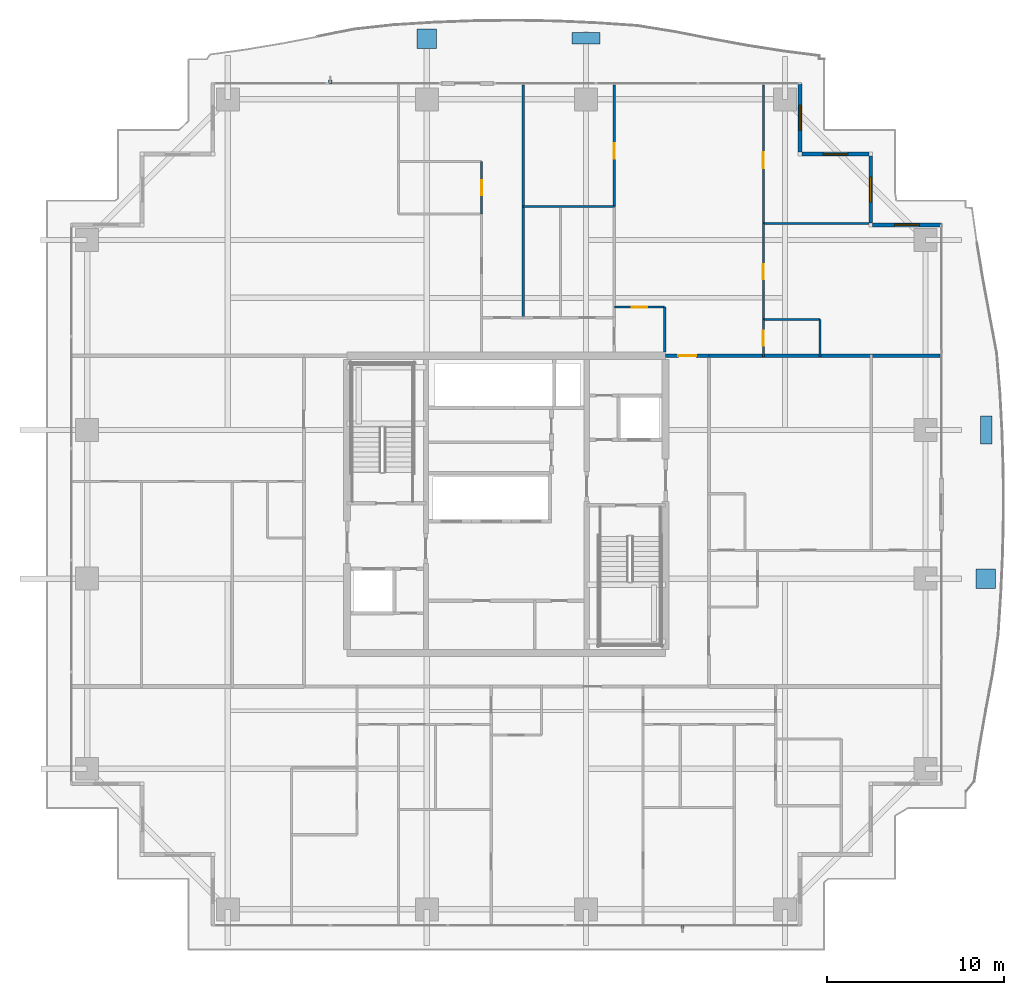
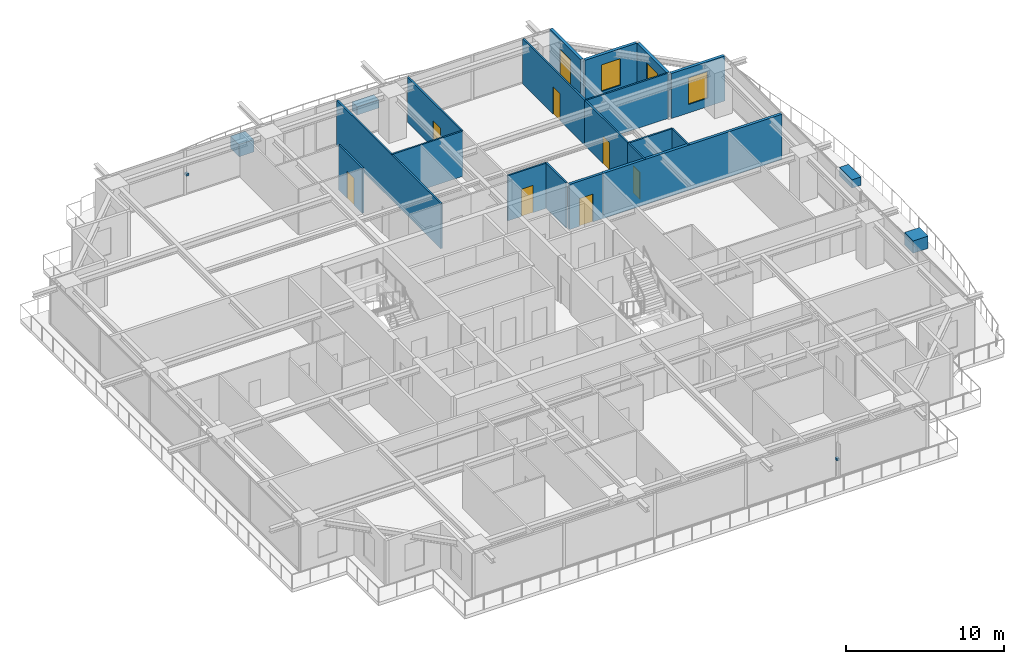
# One storey, part 28 of 34: 18 walls, 7 doors, 6 discrete accessories, 4 windows, 11 openings.
"""IFC4 building model written with IfcOpenShell, lengths in metres."""

from ifc_helpers import new_model, si_unit, direction, frame, frame_2d, origin, origin_2d, place, context, subcontext, project, spatial, rectangle, extrude, source, transform, mapped, material, layer, layer_set, type_object, element, fill, save


model = new_model("IFC4")

# Units and contexts
model_context = context("Model", 3, precision=1e-05, world=origin(), true_north=direction((0.0, 1.0)))
body_context = subcontext(model_context, "Body", "Model", "MODEL_VIEW")
ifc_project = project(units=[si_unit("LENGTHUNIT", "METRE"), si_unit("AREAUNIT", "SQUARE_METRE"), si_unit("VOLUMEUNIT", "CUBIC_METRE"), si_unit("PLANEANGLEUNIT", "RADIAN"), si_unit("MASSUNIT", "GRAM", prefix="KILO")], contexts=[model_context])

# Site, building, storey
site_placement = place(None, origin())
site = spatial("IfcSite", under=ifc_project, at=site_placement, CompositionType="ELEMENT")
building_placement = place(site_placement, origin())
building = spatial("IfcBuilding", under=site, at=building_placement, Name="Serunith Strait Residences", CompositionType="ELEMENT")
storey_placement = place(building_placement, frame((0.0, 0.0, 135.14990234375)))
storey = spatial("IfcBuildingStorey", under=building, at=storey_placement, Name="L33", CompositionType="ELEMENT", Elevation=135.14990234375)

# Wall, opening, window
ifc_material_1 = material(Name="Pale-Champagne Aluminium Insulated Panel", Category="aluminium")
ifc_layer_1 = layer(ifc_material_1, 0.219970703125, Name="Pale-Champagne Aluminium Insulated Panel")
ifc_layer_set_1 = layer_set([ifc_layer_1], Name="Pale-Champagne Aluminium Insulated Panel")
wall_type_1 = type_object("IfcWallType", Name="EW-ALUM-220", PredefinedType="ELEMENTEDWALL", material=ifc_layer_set_1)
wall_1_placement = place(storey_placement, frame((57.0, 41.0, 0.0), z_axis=(0.0, 0.0, 1.0), x_axis=(-1.0, 0.0, 0.0)))
wall_1 = element("IfcWall", 1, at=wall_1_placement, inside=storey, type_object=wall_type_1, Name="L33 Girih Serrated Corner Wall 07", PredefinedType="ELEMENTEDWALL", context=body_context, shape_type="SweptSolid", body=[
    extrude(rectangle(XDim=3.889892578125, YDim=0.219970703125, at=frame_2d((1.94482421875, 0.0))), origin(), (0.0, 0.0, 1.0), 3.47509765625),
])
opening_1_placement = place(wall_1_placement, frame((1.2451171875, 0.0, 0.64990234375)))
opening_1 = element("IfcOpeningElement", 2, at=opening_1_placement, cuts=wall_1, Name="Opening W-03", PredefinedType="OPENING", context=body_context, shape_type="SweptSolid", body=[
    extrude(rectangle(XDim=1.39990234375, YDim=2.050048828125, at=frame_2d((0.699951171875, 1.02490234375))), frame((0.0, 0.1201171875, 0.0), z_axis=(0.0, -1.0, 0.0), x_axis=(1.0, 0.0, 0.0)), (0.0, 0.0, 1.0), 0.239990234375),
])
ifc_material_2 = material(Name="Ceramic-Fritted Operable Aluminium Window Glass", Category="aluminium")
window_type = type_object("IfcWindowType", Name="WIN-C3", PartitioningType="SINGLE_PANEL", PredefinedType="WINDOW", material=ifc_material_2)
shared_shape_1 = source(origin(), body_context, "Body", "SweptSolid", [
    extrude(rectangle(XDim=1.39990234375, YDim=2.050048828125, at=frame_2d((0.699951171875, 1.02490234375))), frame((0.0, 0.030029296875, 0.0), z_axis=(0.0, -1.0, 0.0), x_axis=(1.0, 0.0, 0.0)), (0.0, 0.0, 1.0), 0.06005859375),
])
window_1_placement = place(opening_1_placement, origin())
window_1 = element("IfcWindow", 3, at=window_1_placement, inside=storey, type_object=window_type, Name="L33 Corner Operable Fritted Window 07", OverallHeight=2.050048828125, OverallWidth=1.39990234375, PartitioningType="SINGLE_PANEL", PredefinedType="WINDOW", context=body_context, shape_type="MappedRepresentation", body=[
    mapped(shared_shape_1, transform((0.0, 0.0, 0.0), scale=1.0)),
])
fill(opening_1, window_1)

wall_2_placement = place(storey_placement, frame((53.0, 41.110107421875, 0.0), z_axis=(0.0, 0.0, 1.0), x_axis=(0.0, 1.0, 0.0)))
wall_2 = element("IfcWall", 4, at=wall_2_placement, inside=storey, type_object=wall_type_1, Name="L33 Girih Serrated Corner Wall 08", PredefinedType="ELEMENTEDWALL", context=body_context, shape_type="SweptSolid", body=[
    extrude(rectangle(XDim=3.77978515625, YDim=0.219970703125, at=frame_2d((1.889892578125, 0.0))), origin(), (0.0, 0.0, 1.0), 3.47509765625),
])
opening_2_placement = place(wall_2_placement, frame((1.18994140625, 0.0, 0.64990234375)))
opening_2 = element("IfcOpeningElement", 5, at=opening_2_placement, cuts=wall_2, Name="Opening W-03", PredefinedType="OPENING", context=body_context, shape_type="SweptSolid", body=[
    extrude(rectangle(XDim=1.39990234375, YDim=2.050048828125, at=frame_2d((0.699951171875, 1.02490234375))), frame((0.0, 0.1201171875, 0.0), z_axis=(0.0, -1.0, 0.0), x_axis=(1.0, 0.0, 0.0)), (0.0, 0.0, 1.0), 0.239990234375),
])
window_2_placement = place(opening_2_placement, origin())
window_2 = element("IfcWindow", 6, at=window_2_placement, inside=storey, type_object=window_type, Name="L33 Corner Operable Fritted Window 08", OverallHeight=2.050048828125, OverallWidth=1.39990234375, PartitioningType="SINGLE_PANEL", PredefinedType="WINDOW", context=body_context, shape_type="MappedRepresentation", body=[
    mapped(shared_shape_1, transform((0.0, 0.0, 0.0), scale=1.0)),
])
fill(opening_2, window_2)

wall_3_placement = place(storey_placement, frame((52.889892578125, 45.0, 0.0), z_axis=(0.0, 0.0, 1.0), x_axis=(-1.0, 0.0, 0.0)))
wall_3 = element("IfcWall", 7, at=wall_3_placement, inside=storey, type_object=wall_type_1, Name="L33 Girih Serrated Corner Wall 09", PredefinedType="ELEMENTEDWALL", context=body_context, shape_type="SweptSolid", body=[
    extrude(rectangle(XDim=3.77978515625, YDim=0.219970703125, at=frame_2d((1.889892578125, 0.0))), origin(), (0.0, 0.0, 1.0), 3.47509765625),
])
opening_3_placement = place(wall_3_placement, frame((1.18994140625, 0.0, 0.64990234375)))
opening_3 = element("IfcOpeningElement", 8, at=opening_3_placement, cuts=wall_3, Name="Opening W-03", PredefinedType="OPENING", context=body_context, shape_type="SweptSolid", body=[
    extrude(rectangle(XDim=1.39990234375, YDim=2.050048828125, at=frame_2d((0.699951171875, 1.02490234375))), frame((0.0, 0.1201171875, 0.0), z_axis=(0.0, -1.0, 0.0), x_axis=(1.0, 0.0, 0.0)), (0.0, 0.0, 1.0), 0.239990234375),
])
window_3_placement = place(opening_3_placement, origin())
window_3 = element("IfcWindow", 9, at=window_3_placement, inside=storey, type_object=window_type, Name="L33 Corner Operable Fritted Window 09", OverallHeight=2.050048828125, OverallWidth=1.39990234375, PartitioningType="SINGLE_PANEL", PredefinedType="WINDOW", context=body_context, shape_type="MappedRepresentation", body=[
    mapped(shared_shape_1, transform((0.0, 0.0, 0.0), scale=1.0)),
])
fill(opening_3, window_3)

wall_4_placement = place(storey_placement, frame((49.0, 45.110107421875, 0.0), z_axis=(0.0, 0.0, 1.0), x_axis=(0.0, 1.0, 0.0)))
wall_4 = element("IfcWall", 10, at=wall_4_placement, inside=storey, type_object=wall_type_1, Name="L33 Girih Serrated Corner Wall 10", PredefinedType="ELEMENTEDWALL", context=body_context, shape_type="SweptSolid", body=[
    extrude(rectangle(XDim=3.889892578125, YDim=0.219970703125, at=frame_2d((1.94482421875, 0.0))), origin(), (0.0, 0.0, 1.0), 3.47509765625),
])
opening_4_placement = place(wall_4_placement, frame((1.2451171875, 0.0, 0.64990234375)))
opening_4 = element("IfcOpeningElement", 11, at=opening_4_placement, cuts=wall_4, Name="Opening W-03", PredefinedType="OPENING", context=body_context, shape_type="SweptSolid", body=[
    extrude(rectangle(XDim=1.39990234375, YDim=2.050048828125, at=frame_2d((0.699951171875, 1.02490234375))), frame((0.0, 0.1201171875, 0.0), z_axis=(0.0, -1.0, 0.0), x_axis=(1.0, 0.0, 0.0)), (0.0, 0.0, 1.0), 0.239990234375),
])
window_4_placement = place(opening_4_placement, origin())
window_4 = element("IfcWindow", 12, at=window_4_placement, inside=storey, type_object=window_type, Name="L33 Corner Operable Fritted Window 10", OverallHeight=2.050048828125, OverallWidth=1.39990234375, PartitioningType="SINGLE_PANEL", PredefinedType="WINDOW", context=body_context, shape_type="MappedRepresentation", body=[
    mapped(shared_shape_1, transform((0.0, 0.0, 0.0), scale=1.0)),
])
fill(opening_4, window_4)

# Wall, opening, door
ifc_material_3 = material(Name="Fire-rated acoustic gypsum partition")
ifc_layer_2 = layer(ifc_material_3, 0.179931640625, Name="Fire-rated acoustic gypsum partition")
ifc_layer_set_2 = layer_set([ifc_layer_2], Name="Fire-rated acoustic gypsum partition")
wall_type_2 = type_object("IfcWallType", Name="IW-CORR-180", PredefinedType="PARTITIONING", material=ifc_layer_set_2)
wall_5_placement = place(storey_placement, frame((41.402099609375, 33.60009765625, 0.0), z_axis=(0.0, 0.0, 1.0), x_axis=(1.0, 0.0, 0.0)))
wall_5 = element("IfcWall", 13, at=wall_5_placement, inside=storey, type_object=wall_type_2, Name="L33 Partition Wall 028", PredefinedType="PARTITIONING", context=body_context, shape_type="SweptSolid", body=[
    extrude(rectangle(XDim=2.44580078125, YDim=0.179931640625, at=frame_2d((1.222900390625, 0.0))), origin(), (0.0, 0.0, 1.0), 3.489990234375),
])
opening_5_placement = place(wall_5_placement, frame((0.722900390625, 0.0, 0.0)))
opening_5 = element("IfcOpeningElement", 14, at=opening_5_placement, cuts=wall_5, Name="Opening D-APT1000", PredefinedType="OPENING", context=body_context, shape_type="SweptSolid", body=[
    extrude(rectangle(XDim=1.0, YDim=2.14990234375, at=frame_2d((0.5, 1.074951171875))), frame((0.0, 0.10009765625, 0.0), z_axis=(0.0, -1.0, 0.0), x_axis=(1.0, 0.0, 0.0)), (0.0, 0.0, 1.0), 0.199951171875),
])
ifc_material_4 = material(Name="Solid timber engineered fire door", Category="wood")
door_type_1 = type_object("IfcDoorType", Name="ID-APT-1000", OperationType="NOTDEFINED", PredefinedType="DOOR", material=ifc_material_4)
shared_shape_2 = source(origin(), body_context, "Body", "SweptSolid", [
    extrude(rectangle(XDim=1.0, YDim=2.14990234375, at=frame_2d((0.5, 1.074951171875))), frame((0.0, 0.02490234375, 0.0), z_axis=(0.0, -1.0, 0.0), x_axis=(1.0, 0.0, 0.0)), (0.0, 0.0, 1.0), 0.050048828125),
])
door_1_placement = place(opening_5_placement, origin())
door_1 = element("IfcDoor", 15, at=door_1_placement, inside=storey, type_object=door_type_1, Name="L33 Unit 02 Entrance Door", OperationType="SINGLE_SWING_RIGHT", OverallHeight=2.14990234375, OverallWidth=1.0, PredefinedType="DOOR", context=body_context, shape_type="MappedRepresentation", body=[
    mapped(shared_shape_2, transform((0.0, 0.0, 0.0), scale=1.0)),
])
fill(opening_5, door_1)

ifc_material_5 = material(Name="Lightweight steel-stud gypsum partition", Category="steel")
ifc_layer_3 = layer(ifc_material_5, 0.1201171875, Name="Lightweight steel-stud gypsum partition")
ifc_layer_set_3 = layer_set([ifc_layer_3], Name="Lightweight steel-stud gypsum partition")
wall_type_3 = type_object("IfcWallType", Name="IW-PART-120", PredefinedType="PARTITIONING", material=ifc_layer_set_3)
wall_6_placement = place(storey_placement, frame((38.5, 36.35009765625, 0.0), z_axis=(0.0, 0.0, 1.0), x_axis=(1.0, 0.0, 0.0)))
wall_6 = element("IfcWall", 16, at=wall_6_placement, inside=storey, type_object=wall_type_3, Name="L33 Partition Wall 061", PredefinedType="PARTITIONING", context=body_context, shape_type="SweptSolid", body=[
    extrude(rectangle(XDim=2.85009765625, YDim=0.1201171875, at=frame_2d((1.425048828125, 0.0))), origin(), (0.0, 0.0, 1.0), 3.489990234375),
])
opening_6_placement = place(wall_6_placement, frame((1.0, 0.0, 0.0)))
opening_6 = element("IfcOpeningElement", 17, at=opening_6_placement, cuts=wall_6, Name="Opening D-RM850", PredefinedType="OPENING", context=body_context, shape_type="SweptSolid", body=[
    extrude(rectangle(XDim=0.85009765625, YDim=2.10009765625, at=frame_2d((0.425048828125, 1.050048828125))), frame((0.0, 0.070068359375, 0.0), z_axis=(0.0, -1.0, 0.0), x_axis=(1.0, 0.0, 0.0)), (0.0, 0.0, 1.0), 0.14013671875),
])
ifc_material_6 = material(Name="Engineered timber flush study and kitchen door", Category="wood")
door_type_2 = type_object("IfcDoorType", Name="ID-ROOM-850", OperationType="NOTDEFINED", PredefinedType="DOOR", material=ifc_material_6)
shared_shape_3 = source(origin(), body_context, "Body", "SweptSolid", [
    extrude(rectangle(XDim=0.85009765625, YDim=2.10009765625, at=frame_2d((0.425048828125, 1.050048828125))), frame((0.0, 0.02490234375, 0.0), z_axis=(0.0, -1.0, 0.0), x_axis=(1.0, 0.0, 0.0)), (0.0, 0.0, 1.0), 0.050048828125),
])
door_2_placement = place(opening_6_placement, origin())
door_2 = element("IfcDoor", 18, at=door_2_placement, inside=storey, type_object=door_type_2, Name="L33 Kitchen 3302 Door", OperationType="SINGLE_SWING_RIGHT", OverallHeight=2.10009765625, OverallWidth=0.85009765625, PredefinedType="DOOR", context=body_context, shape_type="MappedRepresentation", body=[
    mapped(shared_shape_3, transform((0.0, 0.0, 0.0), scale=1.0)),
])
fill(opening_6, door_2)

# Wall
wall_7_placement = place(storey_placement, frame((41.35009765625, 36.35009765625, 0.0), z_axis=(0.0, 0.0, 1.0), x_axis=(0.0, -1.0, 0.0)))
element("IfcWall", 19, at=wall_7_placement, inside=storey, type_object=wall_type_3, Name="L33 Partition Wall 062", PredefinedType="PARTITIONING", context=body_context, shape_type="SweptSolid", body=[
    extrude(rectangle(XDim=2.550048828125, YDim=0.1201171875, at=frame_2d((1.27490234375, 0.0))), origin(), (0.0, 0.0, 1.0), 3.489990234375),
])

# Wall, opening, door
wall_8_placement = place(storey_placement, frame((38.5, 48.905029296875, 0.0), z_axis=(0.0, 0.0, 1.0), x_axis=(0.0, -1.0, 0.0)))
wall_8 = element("IfcWall", 20, at=wall_8_placement, inside=storey, type_object=wall_type_3, Name="L33 Partition Wall 064", PredefinedType="PARTITIONING", context=body_context, shape_type="SweptSolid", body=[
    extrude(rectangle(XDim=6.862060546875, YDim=0.1201171875, at=frame_2d((3.43115234375, 0.0))), origin(), (0.0, 0.0, 1.0), 3.489990234375),
])
opening_7_placement = place(wall_8_placement, frame((3.279052734375, 0.0, 0.0)))
opening_7 = element("IfcOpeningElement", 21, at=opening_7_placement, cuts=wall_8, Name="Opening D-RM900", PredefinedType="OPENING", context=body_context, shape_type="SweptSolid", body=[
    extrude(rectangle(XDim=0.89990234375, YDim=2.10009765625, at=frame_2d((0.449951171875, 1.050048828125))), frame((0.0, 0.070068359375, 0.0), z_axis=(0.0, -1.0, 0.0), x_axis=(1.0, 0.0, 0.0)), (0.0, 0.0, 1.0), 0.14013671875),
])
ifc_material_7 = material(Name="Engineered timber flush bedroom door", Category="wood")
door_type_3 = type_object("IfcDoorType", Name="ID-ROOM-900", OperationType="NOTDEFINED", PredefinedType="DOOR", material=ifc_material_7)
shared_shape_4 = source(origin(), body_context, "Body", "SweptSolid", [
    extrude(rectangle(XDim=0.89990234375, YDim=2.10009765625, at=frame_2d((0.449951171875, 1.050048828125))), frame((0.0, 0.02490234375, 0.0), z_axis=(0.0, -1.0, 0.0), x_axis=(1.0, 0.0, 0.0)), (0.0, 0.0, 1.0), 0.050048828125),
])
door_3_placement = place(opening_7_placement, origin())
door_3 = element("IfcDoor", 22, at=door_3_placement, inside=storey, type_object=door_type_3, Name="L33 Formal Dining Room 1 3302 Door", OperationType="SINGLE_SWING_RIGHT", OverallHeight=2.10009765625, OverallWidth=0.89990234375, PredefinedType="DOOR", context=body_context, shape_type="MappedRepresentation", body=[
    mapped(shared_shape_4, transform((0.0, 0.0, 0.0), scale=1.0)),
])
fill(opening_7, door_3)

# Walls
wall_9_placement = place(storey_placement, frame((33.35009765625, 42.04296875, 0.0), z_axis=(0.0, 0.0, 1.0), x_axis=(1.0, 0.0, 0.0)))
element("IfcWall", 23, at=wall_9_placement, inside=storey, type_object=wall_type_3, Name="L33 Partition Wall 066", PredefinedType="PARTITIONING", context=body_context, shape_type="SweptSolid", body=[
    extrude(rectangle(XDim=5.14990234375, YDim=0.1201171875, at=frame_2d((2.574951171875, 0.0))), origin(), (0.0, 0.0, 1.0), 3.489990234375),
])
wall_10_placement = place(storey_placement, frame((33.35009765625, 48.905029296875, 0.0), z_axis=(0.0, 0.0, 1.0), x_axis=(0.0, -1.0, 0.0)))
element("IfcWall", 24, at=wall_10_placement, inside=storey, type_object=wall_type_3, Name="L33 Partition Wall 067", PredefinedType="PARTITIONING", context=body_context, shape_type="SweptSolid", body=[
    extrude(rectangle(XDim=13.155029296875, YDim=0.1201171875, at=frame_2d((6.57763671875, 0.0))), origin(), (0.0, 0.0, 1.0), 3.489990234375),
])

# Wall, opening, door
wall_11_placement = place(storey_placement, frame((31.0, 44.592041015625, 0.0), z_axis=(0.0, 0.0, 1.0), x_axis=(0.0, -1.0, 0.0)))
wall_11 = element("IfcWall", 25, at=wall_11_placement, inside=storey, type_object=wall_type_3, Name="L33 Partition Wall 075", PredefinedType="PARTITIONING", context=body_context, shape_type="SweptSolid", body=[
    extrude(rectangle(XDim=2.97900390625, YDim=0.1201171875, at=frame_2d((1.489501953125, 0.0))), origin(), (0.0, 0.0, 1.0), 3.489990234375),
])
opening_8_placement = place(wall_11_placement, frame((1.06396484375, 0.0, 0.0)))
opening_8 = element("IfcOpeningElement", 26, at=opening_8_placement, cuts=wall_11, Name="Opening D-BTH850", PredefinedType="OPENING", context=body_context, shape_type="SweptSolid", body=[
    extrude(rectangle(XDim=0.85009765625, YDim=2.10009765625, at=frame_2d((0.425048828125, 1.050048828125))), frame((0.0, 0.070068359375, 0.0), z_axis=(0.0, -1.0, 0.0), x_axis=(1.0, 0.0, 0.0)), (0.0, 0.0, 1.0), 0.14013671875),
])
ifc_material_8 = material(Name="Moisture-resistant timber bathroom door", Category="wood")
door_type_4 = type_object("IfcDoorType", Name="ID-BATH-850", OperationType="NOTDEFINED", PredefinedType="DOOR", material=ifc_material_8)
door_4_placement = place(opening_8_placement, origin())
door_4 = element("IfcDoor", 27, at=door_4_placement, inside=storey, type_object=door_type_4, Name="L33 En-suite Bathroom W 3302 Door", OperationType="SINGLE_SWING_RIGHT", OverallHeight=2.10009765625, OverallWidth=0.85009765625, PredefinedType="DOOR", context=body_context, shape_type="MappedRepresentation", body=[
    mapped(shared_shape_3, transform((0.0, 0.0, 0.0), scale=1.0)),
])
fill(opening_8, door_4)

wall_12_placement = place(storey_placement, frame((46.929931640625, 48.905029296875, 0.0), z_axis=(0.0, 0.0, 1.0), x_axis=(0.0, -1.0, 0.0)))
wall_12 = element("IfcWall", 28, at=wall_12_placement, inside=storey, type_object=wall_type_3, Name="L33 Partition Wall 078", PredefinedType="PARTITIONING", context=body_context, shape_type="SweptSolid", body=[
    extrude(rectangle(XDim=7.830078125, YDim=0.1201171875, at=frame_2d((3.9150390625, 0.0))), origin(), (0.0, 0.0, 1.0), 3.489990234375),
])
opening_9_placement = place(wall_12_placement, frame((3.81103515625, 0.0, 0.0)))
opening_9 = element("IfcOpeningElement", 29, at=opening_9_placement, cuts=wall_12, Name="Opening D-RM900", PredefinedType="OPENING", context=body_context, shape_type="SweptSolid", body=[
    extrude(rectangle(XDim=0.89990234375, YDim=2.10009765625, at=frame_2d((0.449951171875, 1.050048828125))), frame((0.0, 0.070068359375, 0.0), z_axis=(0.0, -1.0, 0.0), x_axis=(1.0, 0.0, 0.0)), (0.0, 0.0, 1.0), 0.14013671875),
])
door_5_placement = place(opening_9_placement, origin())
door_5 = element("IfcDoor", 30, at=door_5_placement, inside=storey, type_object=door_type_3, Name="L33 Bedroom 3 3302 Door", OperationType="SINGLE_SWING_RIGHT", OverallHeight=2.10009765625, OverallWidth=0.89990234375, PredefinedType="DOOR", context=body_context, shape_type="MappedRepresentation", body=[
    mapped(shared_shape_4, transform((0.0, 0.0, 0.0), scale=1.0)),
])
fill(opening_9, door_5)

# Walls
wall_13_placement = place(storey_placement, frame((46.929931640625, 41.074951171875, 0.0), z_axis=(0.0, 0.0, 1.0), x_axis=(1.0, 0.0, 0.0)))
element("IfcWall", 31, at=wall_13_placement, inside=storey, type_object=wall_type_3, Name="L33 Partition Wall 079", PredefinedType="PARTITIONING", context=body_context, shape_type="SweptSolid", body=[
    extrude(rectangle(XDim=5.97509765625, YDim=0.1201171875, at=frame_2d((2.987548828125, 0.0))), origin(), (0.0, 0.0, 1.0), 3.489990234375),
])
wall_14_placement = place(storey_placement, frame((46.929931640625, 35.64990234375, 0.0), z_axis=(0.0, 0.0, 1.0), x_axis=(1.0, 0.0, 0.0)))
element("IfcWall", 32, at=wall_14_placement, inside=storey, type_object=wall_type_3, Name="L33 Partition Wall 080", PredefinedType="PARTITIONING", context=body_context, shape_type="SweptSolid", body=[
    extrude(rectangle(XDim=3.199951171875, YDim=0.1201171875, at=frame_2d((1.60009765625, 0.0))), origin(), (0.0, 0.0, 1.0), 3.489990234375),
])
wall_15_placement = place(storey_placement, frame((50.1298828125, 35.64990234375, 0.0), z_axis=(0.0, 0.0, 1.0), x_axis=(0.0, -1.0, 0.0)))
element("IfcWall", 33, at=wall_15_placement, inside=storey, type_object=wall_type_3, Name="L33 Partition Wall 081", PredefinedType="PARTITIONING", context=body_context, shape_type="SweptSolid", body=[
    extrude(rectangle(XDim=2.10986328125, YDim=0.1201171875, at=frame_2d((1.054931640625, 0.0))), origin(), (0.0, 0.0, 1.0), 3.489990234375),
])

# Wall, opening, door
wall_16_placement = place(storey_placement, frame((46.929931640625, 41.072998046875, 0.0), z_axis=(0.0, 0.0, 1.0), x_axis=(0.0, -1.0, 0.0)))
wall_16 = element("IfcWall", 34, at=wall_16_placement, inside=storey, type_object=wall_type_3, Name="L33 Partition Wall 082", PredefinedType="PARTITIONING", context=body_context, shape_type="SweptSolid", body=[
    extrude(rectangle(XDim=5.423095703125, YDim=0.1201171875, at=frame_2d((2.71142578125, 0.0))), origin(), (0.0, 0.0, 1.0), 3.489990234375),
])
opening_10_placement = place(wall_16_placement, frame((2.287109375, 0.0, 0.0)))
opening_10 = element("IfcOpeningElement", 35, at=opening_10_placement, cuts=wall_16, Name="Opening D-RM850", PredefinedType="OPENING", context=body_context, shape_type="SweptSolid", body=[
    extrude(rectangle(XDim=0.85009765625, YDim=2.10009765625, at=frame_2d((0.425048828125, 1.050048828125))), frame((0.0, 0.070068359375, 0.0), z_axis=(0.0, -1.0, 0.0), x_axis=(1.0, 0.0, 0.0)), (0.0, 0.0, 1.0), 0.14013671875),
])
door_6_placement = place(opening_10_placement, origin())
door_6 = element("IfcDoor", 36, at=door_6_placement, inside=storey, type_object=door_type_2, Name="L33 Walk-in Wardrobe 3302 Door", OperationType="SINGLE_SWING_LEFT", OverallHeight=2.10009765625, OverallWidth=0.85009765625, PredefinedType="DOOR", context=body_context, shape_type="MappedRepresentation", body=[
    mapped(shared_shape_3, transform((0.0, 0.0, 0.0), scale=1.0)),
])
fill(opening_10, door_6)

wall_17_placement = place(storey_placement, frame((46.929931640625, 35.64794921875, 0.0), z_axis=(0.0, 0.0, 1.0), x_axis=(0.0, -1.0, 0.0)))
wall_17 = element("IfcWall", 37, at=wall_17_placement, inside=storey, type_object=wall_type_3, Name="L33 Partition Wall 083", PredefinedType="PARTITIONING", context=body_context, shape_type="SweptSolid", body=[
    extrude(rectangle(XDim=2.10791015625, YDim=0.1201171875, at=frame_2d((1.053955078125, 0.0))), origin(), (0.0, 0.0, 1.0), 3.489990234375),
])
opening_11_placement = place(wall_17_placement, frame((0.62890625, 0.0, 0.0)))
opening_11 = element("IfcOpeningElement", 38, at=opening_11_placement, cuts=wall_17, Name="Opening D-BTH850", PredefinedType="OPENING", context=body_context, shape_type="SweptSolid", body=[
    extrude(rectangle(XDim=0.85009765625, YDim=2.10009765625, at=frame_2d((0.425048828125, 1.050048828125))), frame((0.0, 0.070068359375, 0.0), z_axis=(0.0, -1.0, 0.0), x_axis=(1.0, 0.0, 0.0)), (0.0, 0.0, 1.0), 0.14013671875),
])
door_7_placement = place(opening_11_placement, origin())
door_7 = element("IfcDoor", 39, at=door_7_placement, inside=storey, type_object=door_type_4, Name="L33 Bathroom 3302 Door", OperationType="SINGLE_SWING_RIGHT", OverallHeight=2.10009765625, OverallWidth=0.85009765625, PredefinedType="DOOR", context=body_context, shape_type="MappedRepresentation", body=[
    mapped(shared_shape_3, transform((0.0, 0.0, 0.0), scale=1.0)),
])
fill(opening_11, door_7)

# Wall
ifc_material_9 = material(Name="Twin-stud acoustic gypsum board partition")
ifc_layer_4 = layer(ifc_material_9, 0.199951171875, Name="Twin-stud acoustic gypsum board partition")
ifc_layer_set_4 = layer_set([ifc_layer_4], Name="Twin-stud acoustic gypsum board partition")
wall_type_4 = type_object("IfcWallType", Name="IW-PARTY-200", PredefinedType="PARTITIONING", material=ifc_layer_set_4)
wall_18_placement = place(storey_placement, frame((43.85009765625, 33.60009765625, 0.0), z_axis=(0.0, 0.0, 1.0), x_axis=(1.0, 0.0, 0.0)))
element("IfcWall", 40, at=wall_18_placement, inside=storey, type_object=wall_type_4, Name="L33 Partition Wall 023", PredefinedType="PARTITIONING", context=body_context, shape_type="SweptSolid", body=[
    extrude(rectangle(XDim=13.06787109375, YDim=0.199951171875, at=frame_2d((6.533935546875, 0.0))), origin(), (0.0, 0.0, 1.0), 3.489990234375),
])

# Discrete accessories
ifc_material_10 = material(Name="GFRC Root-Anchored Structural Planter")
discrete_accessory_type_1 = type_object("IfcDiscreteAccessoryType", Name="ACC-PLANTER-TREE", PredefinedType="USERDEFINED", material=ifc_material_10)
shared_shape_5 = source(origin(), body_context, "Body", "SweptSolid", [
    extrude(rectangle(XDim=1.10009765625, YDim=1.10009765625, at=origin_2d()), origin(), (0.0, 0.0, 1.0), 0.949951171875),
])
for number, where, z_axis, x_axis, name in (
    (41, (27.89990234375, 51.52197265625, -0.0498046875), (0.0, 0.0, 1.0), (-1.0, 0.0, 0.0), "L33 Vertical-Forest Tree Planter 06"),
    (42, (59.498291015625, 21.0, -0.0498046875), (0.0, 0.0, 1.0), (0.0, 1.0, 0.0), "L33 Vertical-Forest Tree Planter 10"),
):
    element("IfcDiscreteAccessory", number, at=place(storey_placement, frame(where, z_axis=z_axis, x_axis=x_axis)), inside=storey, type_object=discrete_accessory_type_1, Name=name, ObjectType="PLANTER", PredefinedType="USERDEFINED", context=body_context, shape_type="MappedRepresentation", body=[
        mapped(shared_shape_5, transform((0.0, 0.0, 0.0), scale=1.0)),
    ])
ifc_material_11 = material(Name="GFRC Irrigated Shrub Trough Planter")
discrete_accessory_type_2 = type_object("IfcDiscreteAccessoryType", Name="ACC-PLANTER-SHRUB", PredefinedType="USERDEFINED", material=ifc_material_11)
shared_shape_6 = source(origin(), body_context, "Body", "SweptSolid", [
    extrude(rectangle(XDim=1.60009765625, YDim=0.64990234375, at=origin_2d()), origin(), (0.0, 0.0, 1.0), 0.64990234375),
])
for number, where, z_axis, x_axis, name in (
    (43, (36.89990234375, 51.542724609375, -0.0498046875), (0.0, 0.0, 1.0), (-1.0, 0.0, 0.0), "L33 Vertical-Forest Shrub Planter 07"),
    (44, (59.52392578125, 29.39990234375, -0.0498046875), (0.0, 0.0, 1.0), (0.0, 1.0, 0.0), "L33 Vertical-Forest Shrub Planter 11"),
):
    element("IfcDiscreteAccessory", number, at=place(storey_placement, frame(where, z_axis=z_axis, x_axis=x_axis)), inside=storey, type_object=discrete_accessory_type_2, Name=name, ObjectType="PLANTER", PredefinedType="USERDEFINED", context=body_context, shape_type="MappedRepresentation", body=[
        mapped(shared_shape_6, transform((0.0, 0.0, 0.0), scale=1.0)),
    ])
ifc_material_12 = material(Name="Stainless Steel Facade Cleat Bracket", Category="steel")
discrete_accessory_type_3 = type_object("IfcDiscreteAccessoryType", Name="ACC-FIN-BRACKET", PredefinedType="USERDEFINED", material=ifc_material_12)
shared_shape_7 = source(origin(), body_context, "Body", "SweptSolid", [
    extrude(rectangle(XDim=0.179931640625, YDim=0.219970703125, at=origin_2d()), origin(), (0.0, 0.0, 1.0), 0.179931640625),
])
for number, where, z_axis, x_axis, name in (
    (45, (42.360107421875, 1.320068359375, 1.41015625), (0.0, 0.0, 1.0), (1.0, 0.0, 0.0), "L33 Solar Fin Cleat Bracket S"),
    (46, (22.43994140625, 49.080078125, 1.41015625), (0.0, 0.0, 1.0), (1.0, 0.0, 0.0), "L33 Solar Fin Cleat Bracket N"),
):
    element("IfcDiscreteAccessory", number, at=place(storey_placement, frame(where, z_axis=z_axis, x_axis=x_axis)), inside=storey, type_object=discrete_accessory_type_3, Name=name, ObjectType="BRACKET", PredefinedType="USERDEFINED", context=body_context, shape_type="MappedRepresentation", body=[
        mapped(shared_shape_7, transform((0.0, 0.0, 0.0), scale=1.0)),
    ])

save(model, "model.ifc")
